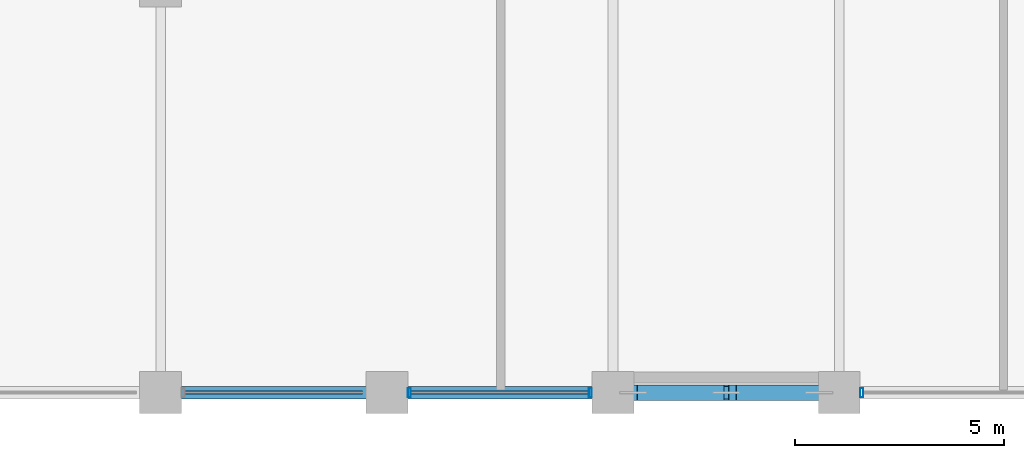
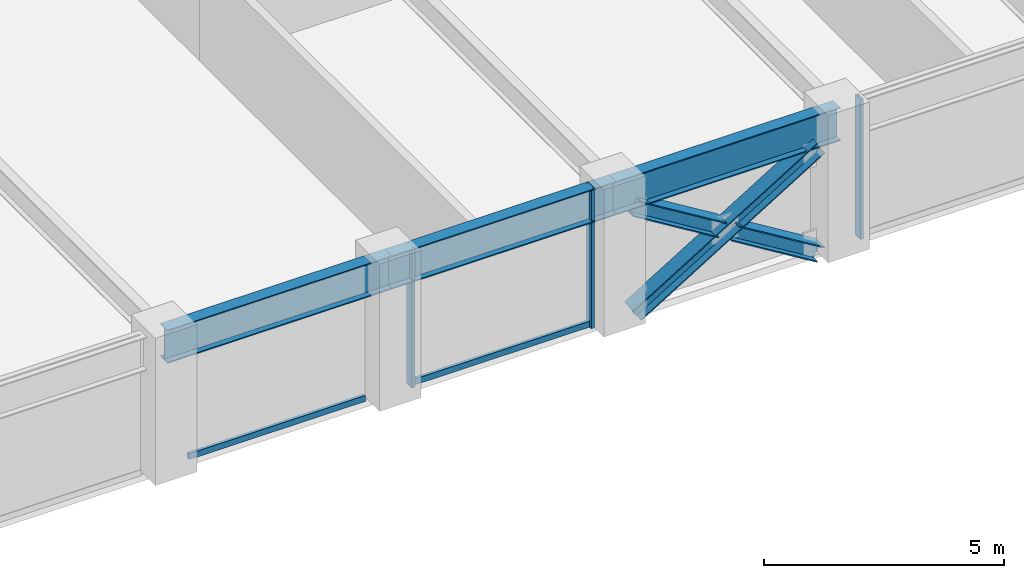
# One storey, part 3 of 29: 8 members, 3 beams, 2 elements without a shape of their own.
"""IFC4 building model written with IfcOpenShell, lengths in metres."""

from ifc_helpers import new_model, si_unit, direction, frame, origin, origin_2d, place, context, subcontext, project, spatial, hollow_rectangle, i_section, extrude, material, layer, layer_set, material_profile, profile_set, type_object, element, aggregate, save


model = new_model("IFC4")

# Units and contexts
model_context = context("Model", 3, precision=1e-05, world=origin(), true_north=direction((0.0, 1.0)))
body_context = subcontext(model_context, "Body", "Model", "MODEL_VIEW")
ifc_project = project(units=[si_unit("LENGTHUNIT", "METRE"), si_unit("AREAUNIT", "SQUARE_METRE"), si_unit("VOLUMEUNIT", "CUBIC_METRE"), si_unit("PLANEANGLEUNIT", "RADIAN"), si_unit("MASSUNIT", "GRAM", prefix="KILO")], contexts=[model_context])

# Site, building, storey
site_placement = place(None, origin())
site = spatial("IfcSite", under=ifc_project, at=site_placement, CompositionType="ELEMENT")
building_placement = place(site_placement, origin())
building = spatial("IfcBuilding", under=site, at=building_placement, Name="Surkhivell Harbour Commons", CompositionType="ELEMENT")
storey_placement = place(building_placement, frame((0.0, 0.0, 154.5)))
storey = spatial("IfcBuildingStorey", under=building, at=storey_placement, Name="L40", CompositionType="ELEMENT", Elevation=154.5)

# Beams
ifc_material_1 = material(Name="Steel S460", Category="steel")
ifc_material_profile_1 = material_profile(ifc_material_1, i_section(OverallWidth=0.2939453125, OverallDepth=0.85107421875, WebThickness=0.01611328125, FlangeThickness=0.02685546875, at=origin_2d()), Name="UB838x292x226")
ifc_profile_set_1 = profile_set([ifc_material_profile_1], Name="Steel S460")
beam_type = type_object("IfcBeamType", Name="BM-SPN-838", PredefinedType="SPANDREL", material=ifc_profile_set_1)
beam_1_placement = place(storey_placement, frame((-21.60009765625, -25.89990234375, 3.14453125), z_axis=(1.0, 0.0, 0.0), x_axis=(0.0, 1.0, 0.0)))
element("IfcBeam", 1, at=beam_1_placement, inside=storey, type_object=beam_type, Name="L40 Tube Spandrel (-21.6,-25.9)", PredefinedType="SPANDREL", context=body_context, shape_type="SweptSolid", body=[
    extrude(i_section(OverallWidth=0.2939453125, OverallDepth=0.85107421875, WebThickness=0.01611328125, FlangeThickness=0.02685546875, at=origin_2d()), origin(), (0.0, 0.0, 1.0), 5.400146484375),
])
beam_2_placement = place(storey_placement, frame((-16.199951171875, -25.89990234375, 3.14453125), z_axis=(1.0, 0.0, 0.0), x_axis=(0.0, 1.0, 0.0)))
element("IfcBeam", 2, at=beam_2_placement, inside=storey, type_object=beam_type, Name="L40 Tube Spandrel (-16.2,-25.9)", PredefinedType="SPANDREL", context=body_context, shape_type="SweptSolid", body=[
    extrude(i_section(OverallWidth=0.2939453125, OverallDepth=0.85107421875, WebThickness=0.01611328125, FlangeThickness=0.02685546875, at=origin_2d()), origin(), (0.0, 0.0, 1.0), 5.39990234375),
])
beam_3_placement = place(storey_placement, frame((-10.800048828125, -25.89990234375, 3.14453125), z_axis=(1.0, 0.0, 0.0), x_axis=(0.0, 1.0, 0.0)))
element("IfcBeam", 3, at=beam_3_placement, inside=storey, type_object=beam_type, Name="L40 Tube Spandrel (-10.8,-25.9)", PredefinedType="SPANDREL", context=body_context, shape_type="SweptSolid", body=[
    extrude(i_section(OverallWidth=0.2939453125, OverallDepth=0.85107421875, WebThickness=0.01611328125, FlangeThickness=0.02685546875, at=origin_2d()), origin(), (0.0, 0.0, 1.0), 5.400146484375),
])

# Curtain wall, members
ifc_material_2 = material(Name="Anodised pale-metal aluminium and insulated glazing", Category="aluminium")
ifc_layer = layer(ifc_material_2, 0.205078125)
ifc_layer_set = layer_set([ifc_layer], Name="Anodised pale-metal aluminium and insulated glazing")
curtain_wall_type = type_object("IfcCurtainWallType", Name="CW-SYS-Z2", PredefinedType="NOTDEFINED", material=ifc_layer_set)
curtain_wall_1_placement = place(storey_placement, origin())
curtain_wall_1 = element("IfcCurtainWall", 4, at=curtain_wall_1_placement, inside=storey, type_object=curtain_wall_type, Name="L40 Curtain Wall CW-L40-E00S1", PredefinedType="NOTDEFINED")
ifc_material_3 = material(Name="Anodised pale-metal aluminium alloy 6063-T6", Category="aluminium")
ifc_material_profile_2 = material_profile(ifc_material_3, hollow_rectangle(XDim=0.074951171875, YDim=0.219970703125, WallThickness=0.00390625, at=origin_2d()), Name="ALU-MULL-75x220")
ifc_profile_set_2 = profile_set([ifc_material_profile_2], Name="Anodised pale-metal aluminium alloy 6063-T6")
member_type_1 = type_object("IfcMemberType", Name="CWM-220", PredefinedType="MULLION", material=ifc_profile_set_2)
member_1_placement = place(storey_placement, frame((-15.660400390625, -25.89990234375, 0.0), z_axis=(0.0, 0.0, 1.0), x_axis=(1.0, 0.0, 0.0)))
member_1 = element("IfcMember", 5, at=member_1_placement, type_object=member_type_1, Name="CW-Z2 mullion 3", PredefinedType="MULLION", context=body_context, shape_type="SweptSolid", body=[
    extrude(hollow_rectangle(XDim=0.074951171875, YDim=0.219970703125, WallThickness=0.00390625, at=origin_2d()), origin(), (0.0, 0.0, 1.0), 3.570068359375),
])
member_2_placement = place(storey_placement, frame((-11.339599609375, -25.89990234375, 0.0), z_axis=(0.0, 0.0, 1.0), x_axis=(1.0, 0.0, 0.0)))
member_2 = element("IfcMember", 6, at=member_2_placement, type_object=member_type_1, Name="CW-Z2 mullion 4", PredefinedType="MULLION", context=body_context, shape_type="SweptSolid", body=[
    extrude(hollow_rectangle(XDim=0.074951171875, YDim=0.219970703125, WallThickness=0.00390625, at=origin_2d()), origin(), (0.0, 0.0, 1.0), 3.570068359375),
])

# Curtain wall, member
curtain_wall_2_placement = place(storey_placement, origin())
curtain_wall_2 = element("IfcCurtainWall", 7, at=curtain_wall_2_placement, inside=storey, type_object=curtain_wall_type, Name="L40 Curtain Wall CW-L40-E00S2", PredefinedType="NOTDEFINED")
member_3_placement = place(storey_placement, frame((-4.860595703125, -25.89990234375, 0.0), z_axis=(0.0, 0.0, 1.0), x_axis=(1.0, 0.0, 0.0)))
member_3 = element("IfcMember", 8, at=member_3_placement, type_object=member_type_1, Name="CW-Z2 mullion 1", PredefinedType="MULLION", context=body_context, shape_type="SweptSolid", body=[
    extrude(hollow_rectangle(XDim=0.074951171875, YDim=0.219970703125, WallThickness=0.00390625, at=origin_2d()), origin(), (0.0, 0.0, 1.0), 3.570068359375),
])
aggregate(curtain_wall_2, [member_3])

# Member
ifc_material_profile_3 = material_profile(ifc_material_3, hollow_rectangle(XDim=0.074951171875, YDim=0.14990234375, WallThickness=0.00341796875, at=origin_2d()), Name="ALU-TRAN-75x150")
ifc_profile_set_3 = profile_set([ifc_material_profile_3], Name="Anodised pale-metal aluminium alloy 6063-T6")
member_type_2 = type_object("IfcMemberType", Name="CWT-150", PredefinedType="USERDEFINED", material=ifc_profile_set_3)
member_4_placement = place(storey_placement, frame((-21.02294921875, -25.89990234375, 0.074951171875), z_axis=(1.0, 0.0, 0.0), x_axis=(0.0, 1.0, 0.0)))
member_4 = element("IfcMember", 9, at=member_4_placement, type_object=member_type_2, Name="CW-Z2 transom 2.1", ObjectType="TRANSOM", PredefinedType="USERDEFINED", context=body_context, shape_type="SweptSolid", body=[
    extrude(hollow_rectangle(XDim=0.074951171875, YDim=0.14990234375, WallThickness=0.00341796875, at=origin_2d()), origin(), (0.0, 0.0, 1.0), 4.245849609375),
])

member_5_placement = place(storey_placement, frame((-15.623046875, -25.89990234375, 0.074951171875), z_axis=(1.0, 0.0, 0.0), x_axis=(0.0, 1.0, 0.0)))
member_5 = element("IfcMember", 10, at=member_5_placement, type_object=member_type_2, Name="CW-Z2 transom 3.1", ObjectType="TRANSOM", PredefinedType="USERDEFINED", context=body_context, shape_type="SweptSolid", body=[
    extrude(hollow_rectangle(XDim=0.074951171875, YDim=0.14990234375, WallThickness=0.00341796875, at=origin_2d()), origin(), (0.0, 0.0, 1.0), 4.24609375),
])

aggregate(curtain_wall_1, [member_4, member_1, member_2, member_5])

# Members
ifc_material_profile_4 = material_profile(ifc_material_1, i_section(OverallWidth=0.375, OverallDepth=0.375, WebThickness=0.0166015625, FlangeThickness=0.027099609375, at=origin_2d()), Name="UC356x368x202")
ifc_profile_set_4 = profile_set([ifc_material_profile_4], Name="Steel S460")
member_type_3 = type_object("IfcMemberType", Name="MEM-BRC-UC356", PredefinedType="BRACE", material=ifc_profile_set_4)
member_6_placement = place(storey_placement, frame((-10.31494140625, -25.89990234375, 0.008056640625), z_axis=(0.852624888477, 0.0, 0.522523491864), x_axis=(0.0, 1.0, 0.0)))
element("IfcMember", 11, at=member_6_placement, inside=storey, type_object=member_type_3, Name="L40 Perimeter Mega-Brace MB- 07", PredefinedType="BRACE", context=body_context, shape_type="SweptSolid", body=[
    extrude(i_section(OverallWidth=0.375, OverallDepth=0.375, WebThickness=0.0166015625, FlangeThickness=0.027099609375, at=origin_2d()), origin(), (0.0, 0.0, 1.0), 5.195556640625),
])
member_7_placement = place(storey_placement, frame((-5.885009765625, -25.89990234375, 0.008056640625), z_axis=(-0.852617215241, 0.0, 0.52253601242), x_axis=(0.0, -1.0, 0.0)))
element("IfcMember", 12, at=member_7_placement, inside=storey, type_object=member_type_3, Name="L40 Perimeter Mega-Brace MB- 08", PredefinedType="BRACE", context=body_context, shape_type="SweptSolid", body=[
    extrude(i_section(OverallWidth=0.375, OverallDepth=0.375, WebThickness=0.0166015625, FlangeThickness=0.027099609375, at=origin_2d()), origin(), (0.0, 0.0, 1.0), 2.41796875),
])
member_8_placement = place(storey_placement, frame((-8.25341796875, -25.89990234375, 1.459716796875), z_axis=(-0.852662200332, 0.0, 0.522462603567), x_axis=(0.0, -1.0, 0.0)))
element("IfcMember", 13, at=member_8_placement, inside=storey, type_object=member_type_3, Name="L40 Perimeter Mega-Brace MB- 09", PredefinedType="BRACE", context=body_context, shape_type="SweptSolid", body=[
    extrude(i_section(OverallWidth=0.375, OverallDepth=0.375, WebThickness=0.0166015625, FlangeThickness=0.027099609375, at=origin_2d()), origin(), (0.0, 0.0, 1.0), 2.417724609375),
])

save(model, "model.ifc")
